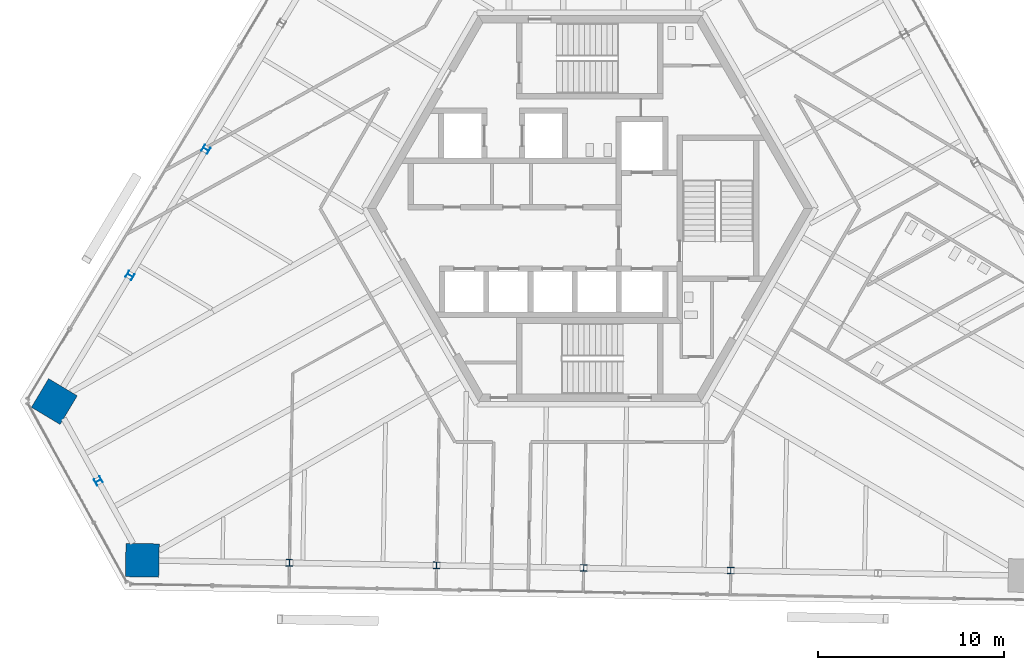
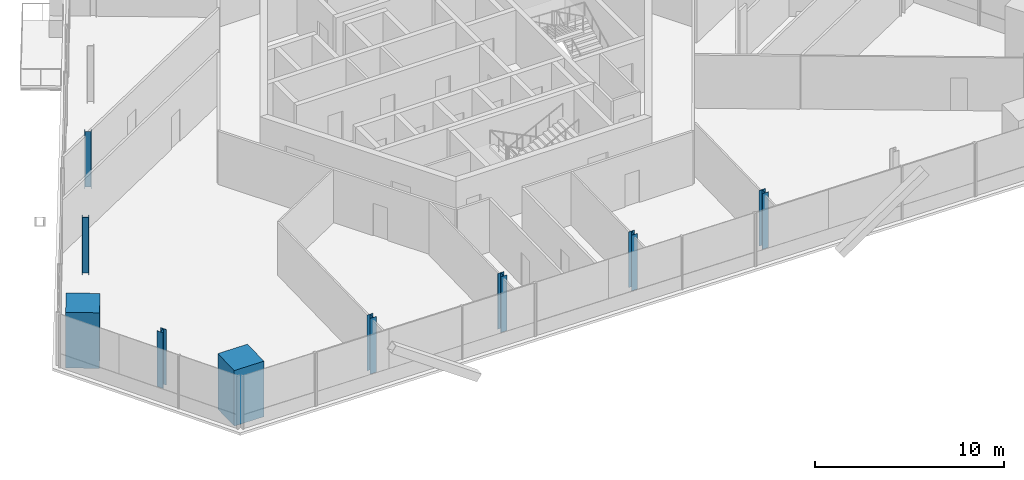
# One storey, part 1 of 19: 9 columns.
"""IFC4 building model written with IfcOpenShell, lengths in metres."""

from ifc_helpers import new_model, si_unit, direction, frame, origin, origin_2d, place, context, subcontext, project, spatial, rectangle, i_section, extrude, source, transform, mapped, material, material_profile, profile_set, type_object, element, save


model = new_model("IFC4")

# Units and contexts
model_context = context("Model", 3, precision=1e-05, world=origin(), true_north=direction((0.0, 1.0)))
body_context = subcontext(model_context, "Body", "Model", "MODEL_VIEW")
ifc_project = project(units=[si_unit("LENGTHUNIT", "METRE"), si_unit("AREAUNIT", "SQUARE_METRE"), si_unit("VOLUMEUNIT", "CUBIC_METRE"), si_unit("PLANEANGLEUNIT", "RADIAN"), si_unit("MASSUNIT", "GRAM", prefix="KILO")], contexts=[model_context])

# Site, building, storey
site_placement = place(None, origin())
site = spatial("IfcSite", under=ifc_project, at=site_placement, CompositionType="ELEMENT")
building_placement = place(site_placement, origin())
building = spatial("IfcBuilding", under=site, at=building_placement, Name="Triune Harvest Tower", CompositionType="ELEMENT")
storey_placement = place(building_placement, frame((0.0, 0.0, 205.10009765625)))
storey = spatial("IfcBuildingStorey", under=building, at=storey_placement, Name="L53", CompositionType="ELEMENT", Elevation=205.10009765625)

# Columns
ifc_material_1 = material(Name="Concrete 70 MPa", Category="concrete")
ifc_material_profile_1 = material_profile(ifc_material_1, rectangle(XDim=1.800048828125, YDim=1.800048828125, at=origin_2d()), Name="Composite 1800x1800")
ifc_profile_set_1 = profile_set([ifc_material_profile_1], Name="Concrete 70 MPa")
column_type_1 = type_object("IfcColumnType", Name="MC-5 Mega column Composite 1800x1800", PredefinedType="COLUMN", material=ifc_profile_set_1)
shared_shape_1 = source(origin(), body_context, "Body", "SweptSolid", [
    extrude(rectangle(XDim=1.800048828125, YDim=1.800048828125, at=origin_2d()), origin(), (0.0, 0.0, 1.0), 3.599853515625),
])
for number, where, z_axis, x_axis, name in (
    (1, (-28.85595703125, -10.406005859375, 0.0), (0.0, 0.0, 1.0), (-0.51503657887, -0.857168199612, 0.0), "col/L53/M14"),
    (2, (-24.1162109375, -18.956787109375, 0.0), (0.0, 0.0, 1.0), (0.999847695156, -0.017452406437, 0.0), "col/L53/M16"),
):
    element("IfcColumn", number, at=place(storey_placement, frame(where, z_axis=z_axis, x_axis=x_axis)), inside=storey, type_object=column_type_1, Name=name, PredefinedType="COLUMN", context=body_context, shape_type="MappedRepresentation", body=[
        mapped(shared_shape_1, transform((0.0, 0.0, 0.0), scale=1.0)),
    ])
ifc_material_2 = material(Name="Steel ASTM A992 Gr 50", Category="steel")
ifc_material_profile_2 = material_profile(ifc_material_2, i_section(OverallWidth=0.370849609375, OverallDepth=0.36328125, WebThickness=0.013427734375, FlangeThickness=0.021728515625, at=origin_2d()), Name="W14x109")
ifc_profile_set_2 = profile_set([ifc_material_profile_2], Name="Steel ASTM A992 Gr 50")
column_type_2 = type_object("IfcColumnType", Name="PC-5 Perimeter column W14x109", PredefinedType="COLUMN", material=ifc_profile_set_2)
shared_shape_2 = source(origin(), body_context, "Body", "SweptSolid", [
    extrude(i_section(OverallWidth=0.370849609375, OverallDepth=0.36328125, WebThickness=0.013427734375, FlangeThickness=0.021728515625, at=origin_2d()), origin(), (0.0, 0.0, 1.0), 3.599853515625),
])
for number, where, z_axis, x_axis, name in (
    (3, (-20.6904296875, 3.183837890625, 0.0), (0.0, 0.0, 1.0), (-0.51503657887, -0.857168199612, 0.0), "col/L53/P12"),
    (4, (-24.773193359375, -3.611083984375, 0.0), (0.0, 0.0, 1.0), (-0.51503657887, -0.857168199612, 0.0), "col/L53/P13"),
    (5, (-26.486083984375, -14.681396484375, 0.0), (0.0, 0.0, 1.0), (0.484808093746, -0.87462055329, 0.0), "col/L53/P15"),
    (6, (-16.190185546875, -19.09521484375, 0.0), (0.0, 0.0, 1.0), (0.999847695156, -0.017452406437, 0.0), "col/L53/P17"),
    (7, (-8.26416015625, -19.233642578125, 0.0), (0.0, 0.0, 1.0), (0.999847695156, -0.017452406437, 0.0), "col/L53/P18"),
    (8, (-0.338134765625, -19.3720703125, 0.0), (0.0, 0.0, 1.0), (0.999847695156, -0.017452406437, 0.0), "col/L53/P19"),
    (9, (7.587890625, -19.510498046875, 0.0), (0.0, 0.0, 1.0), (0.999847695156, -0.017452406437, 0.0), "col/L53/P20"),
):
    element("IfcColumn", number, at=place(storey_placement, frame(where, z_axis=z_axis, x_axis=x_axis)), inside=storey, type_object=column_type_2, Name=name, PredefinedType="COLUMN", context=body_context, shape_type="MappedRepresentation", body=[
        mapped(shared_shape_2, transform((0.0, 0.0, 0.0), scale=1.0)),
    ])

save(model, "model.ifc")
